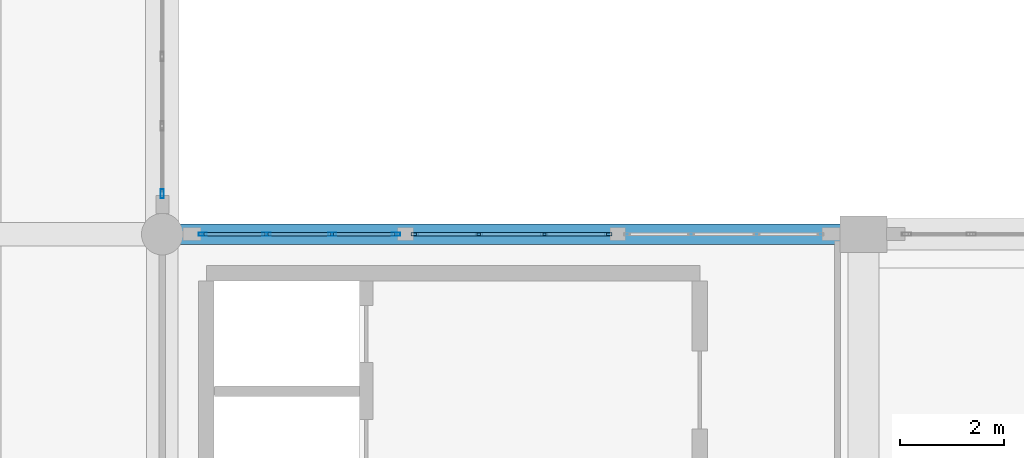
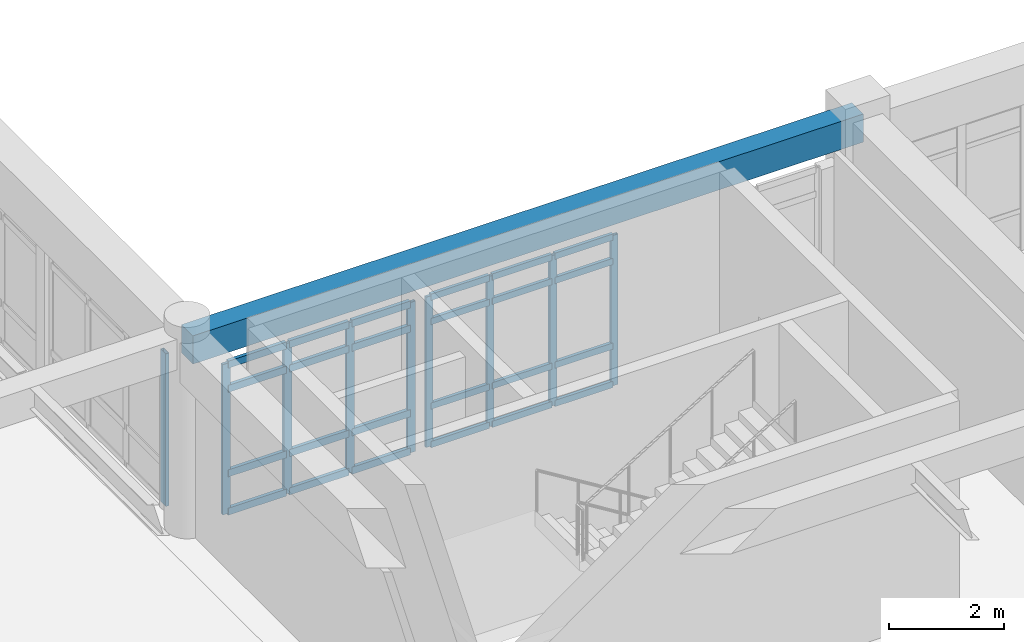
# One storey, part 11 of 80: 33 members, 1 beam, 3 elements without a shape of their own.
"""IFC4 building model written with IfcOpenShell, lengths in metres."""

from ifc_helpers import new_model, si_unit, direction, frame, origin, origin_2d, place, context, subcontext, project, spatial, rectangle, hollow_rectangle, extrude, material, layer, layer_set, material_profile, profile_set, type_object, element, aggregate, save


model = new_model("IFC4")

# Units and contexts
model_context = context("Model", 3, precision=1e-05, world=origin(), true_north=direction((0.0, 1.0)))
body_context = subcontext(model_context, "Body", "Model", "MODEL_VIEW")
ifc_project = project(units=[si_unit("LENGTHUNIT", "METRE"), si_unit("AREAUNIT", "SQUARE_METRE"), si_unit("VOLUMEUNIT", "CUBIC_METRE"), si_unit("PLANEANGLEUNIT", "RADIAN"), si_unit("MASSUNIT", "GRAM", prefix="KILO")], contexts=[model_context])

# Site, building, storey
site_placement = place(None, origin())
site = spatial("IfcSite", under=ifc_project, at=site_placement, CompositionType="ELEMENT")
building_placement = place(site_placement, origin())
building = spatial("IfcBuilding", under=site, at=building_placement, Name="Fikremerkos Civic Library", CompositionType="ELEMENT")
storey_placement = place(building_placement, frame((0.0, 0.0, 9.89990234375)))
storey = spatial("IfcBuildingStorey", under=building, at=storey_placement, Name="L02", CompositionType="ELEMENT", Elevation=9.89990234375)

# Curtain wall, member
ifc_material_1 = material(Name="Anodized aluminium Frame", Category="aluminium")
ifc_layer_1 = layer(ifc_material_1, 0.159912109375, Name="Anodized aluminium Frame")
ifc_layer_set_1 = layer_set([ifc_layer_1], Name="Anodized aluminium Frame")
curtain_wall_type_1 = type_object("IfcCurtainWallType", Name="Unitised curtain wall CW-01 3600x3600", PredefinedType="USERDEFINED", material=ifc_layer_set_1)
curtain_wall_1_placement = place(storey_placement, origin())
curtain_wall_1 = element("IfcCurtainWall", 1, at=curtain_wall_1_placement, inside=storey, type_object=curtain_wall_type_1, Name="Unitised curtain wall CW-01 L02 #145", ObjectType="UNITISED CURTAIN WALL", PredefinedType="USERDEFINED")
ifc_material_profile_1 = material_profile(ifc_material_1, hollow_rectangle(XDim=0.06494140625, YDim=0.179931640625, WallThickness=0.00439453125, at=origin_2d()), Name="ALU 180x65x4.5")
ifc_profile_set_1 = profile_set([ifc_material_profile_1], Name="Anodized aluminium Frame")
member_type_1 = type_object("IfcMemberType", Name="Curtain mullion CWM-01 ALU 180x65x4.5", PredefinedType="MULLION", material=ifc_profile_set_1)
member_1_placement = place(storey_placement, frame((19.199951171875, 31.98046875, 0.0), z_axis=(0.0, 0.0, 1.0), x_axis=(1.0, 0.0, 0.0)))
member_1 = element("IfcMember", 2, at=member_1_placement, type_object=member_type_1, Name="CW-01 mullion 4", PredefinedType="MULLION", context=body_context, shape_type="SweptSolid", body=[
    extrude(hollow_rectangle(XDim=0.06494140625, YDim=0.179931640625, WallThickness=0.00439453125, at=origin_2d()), origin(), (0.0, 0.0, 1.0), 3.25),
])
aggregate(curtain_wall_1, [member_1])

# Curtain wall, members
ifc_layer_2 = layer(ifc_material_1, 0.159912109375, Name="Anodized aluminium Frame")
ifc_layer_set_2 = layer_set([ifc_layer_2], Name="Anodized aluminium Frame")
curtain_wall_type_2 = type_object("IfcCurtainWallType", Name="Unitised curtain wall CW-02 3900x3600", PredefinedType="USERDEFINED", material=ifc_layer_set_2)
curtain_wall_2_placement = place(storey_placement, origin())
curtain_wall_2 = element("IfcCurtainWall", 3, at=curtain_wall_2_placement, inside=storey, type_object=curtain_wall_type_2, Name="Unitised curtain wall CW-02 L02 #146", ObjectType="UNITISED CURTAIN WALL", PredefinedType="USERDEFINED")
ifc_material_profile_2 = material_profile(ifc_material_1, hollow_rectangle(XDim=0.06005859375, YDim=0.159912109375, WallThickness=0.00390625, at=origin_2d()), Name="ALU 160x60x4")
ifc_profile_set_2 = profile_set([ifc_material_profile_2], Name="Anodized aluminium Frame")
member_type_2 = type_object("IfcMemberType", Name="Curtain mullion CWM-02 ALU 160x60x4", PredefinedType="MULLION", material=ifc_profile_set_2)
member_2_placement = place(storey_placement, frame((19.97802734375, 31.199951171875, 0.0), z_axis=(0.0, 0.0, 1.0), x_axis=(0.0, 1.0, 0.0)))
member_2 = element("IfcMember", 4, at=member_2_placement, type_object=member_type_2, Name="CW-02 mullion 1", PredefinedType="MULLION", context=body_context, shape_type="SweptSolid", body=[
    extrude(hollow_rectangle(XDim=0.06005859375, YDim=0.159912109375, WallThickness=0.00390625, at=origin_2d()), origin(), (0.0, 0.0, 1.0), 3.2001953125),
])
member_3_placement = place(storey_placement, frame((21.20947265625, 31.199951171875, 0.0), z_axis=(0.0, 0.0, 1.0), x_axis=(0.0, 1.0, 0.0)))
member_3 = element("IfcMember", 5, at=member_3_placement, type_object=member_type_2, Name="CW-02 mullion 2", PredefinedType="MULLION", context=body_context, shape_type="SweptSolid", body=[
    extrude(hollow_rectangle(XDim=0.06005859375, YDim=0.159912109375, WallThickness=0.00390625, at=origin_2d()), origin(), (0.0, 0.0, 1.0), 3.2001953125),
])
member_4_placement = place(storey_placement, frame((22.47119140625, 31.199951171875, 0.0), z_axis=(0.0, 0.0, 1.0), x_axis=(0.0, 1.0, 0.0)))
member_4 = element("IfcMember", 6, at=member_4_placement, type_object=member_type_2, Name="CW-02 mullion 3", PredefinedType="MULLION", context=body_context, shape_type="SweptSolid", body=[
    extrude(hollow_rectangle(XDim=0.06005859375, YDim=0.159912109375, WallThickness=0.00390625, at=origin_2d()), origin(), (0.0, 0.0, 1.0), 3.2001953125),
])
member_5_placement = place(storey_placement, frame((23.70263671875, 31.199951171875, 0.0), z_axis=(0.0, 0.0, 1.0), x_axis=(0.0, 1.0, 0.0)))
member_5 = element("IfcMember", 7, at=member_5_placement, type_object=member_type_2, Name="CW-02 mullion 4", PredefinedType="MULLION", context=body_context, shape_type="SweptSolid", body=[
    extrude(hollow_rectangle(XDim=0.06005859375, YDim=0.159912109375, WallThickness=0.00390625, at=origin_2d()), origin(), (0.0, 0.0, 1.0), 3.2001953125),
])

ifc_layer_3 = layer(ifc_material_1, 0.159912109375, Name="Anodized aluminium Frame")
ifc_layer_set_3 = layer_set([ifc_layer_3], Name="Anodized aluminium Frame")
curtain_wall_type_3 = type_object("IfcCurtainWallType", Name="Unitised curtain wall CW-03 4100x3600", PredefinedType="USERDEFINED", material=ifc_layer_set_3)
curtain_wall_3_placement = place(storey_placement, origin())
curtain_wall_3 = element("IfcCurtainWall", 8, at=curtain_wall_3_placement, inside=storey, type_object=curtain_wall_type_3, Name="Unitised curtain wall CW-03 L02 #147", ObjectType="UNITISED CURTAIN WALL", PredefinedType="USERDEFINED")
ifc_material_profile_3 = material_profile(ifc_material_1, hollow_rectangle(XDim=0.06005859375, YDim=0.139892578125, WallThickness=0.00390625, at=origin_2d()), Name="ALU 140x60x4")
ifc_profile_set_3 = profile_set([ifc_material_profile_3], Name="Anodized aluminium Frame")
member_type_3 = type_object("IfcMemberType", Name="Curtain mullion CWM-03 ALU 140x60x4", PredefinedType="MULLION", material=ifc_profile_set_3)
member_6_placement = place(storey_placement, frame((24.062744140625, 31.199951171875, 0.0), z_axis=(0.0, 0.0, 1.0), x_axis=(0.0, 1.0, 0.0)))
member_6 = element("IfcMember", 9, at=member_6_placement, type_object=member_type_3, Name="CW-03 mullion 1", PredefinedType="MULLION", context=body_context, shape_type="SweptSolid", body=[
    extrude(hollow_rectangle(XDim=0.06005859375, YDim=0.139892578125, WallThickness=0.00390625, at=origin_2d()), origin(), (0.0, 0.0, 1.0), 3.2001953125),
])
member_7_placement = place(storey_placement, frame((25.294189453125, 31.199951171875, 0.0), z_axis=(0.0, 0.0, 1.0), x_axis=(0.0, 1.0, 0.0)))
member_7 = element("IfcMember", 10, at=member_7_placement, type_object=member_type_3, Name="CW-03 mullion 2", PredefinedType="MULLION", context=body_context, shape_type="SweptSolid", body=[
    extrude(hollow_rectangle(XDim=0.06005859375, YDim=0.139892578125, WallThickness=0.00390625, at=origin_2d()), origin(), (0.0, 0.0, 1.0), 3.2001953125),
])
member_8_placement = place(storey_placement, frame((26.5556640625, 31.199951171875, 0.0), z_axis=(0.0, 0.0, 1.0), x_axis=(0.0, 1.0, 0.0)))
member_8 = element("IfcMember", 11, at=member_8_placement, type_object=member_type_3, Name="CW-03 mullion 3", PredefinedType="MULLION", context=body_context, shape_type="SweptSolid", body=[
    extrude(hollow_rectangle(XDim=0.06005859375, YDim=0.139892578125, WallThickness=0.00390625, at=origin_2d()), origin(), (0.0, 0.0, 1.0), 3.2001953125),
])
member_9_placement = place(storey_placement, frame((27.787353515625, 31.199951171875, 0.0), z_axis=(0.0, 0.0, 1.0), x_axis=(0.0, 1.0, 0.0)))
member_9 = element("IfcMember", 12, at=member_9_placement, type_object=member_type_3, Name="CW-03 mullion 4", PredefinedType="MULLION", context=body_context, shape_type="SweptSolid", body=[
    extrude(hollow_rectangle(XDim=0.06005859375, YDim=0.139892578125, WallThickness=0.00390625, at=origin_2d()), origin(), (0.0, 0.0, 1.0), 3.2001953125),
])

# Member
ifc_material_profile_4 = material_profile(ifc_material_1, hollow_rectangle(XDim=0.070068359375, YDim=0.14990234375, WallThickness=0.00439453125, at=origin_2d()), Name="ALU 150x70x4.5")
ifc_profile_set_4 = profile_set([ifc_material_profile_4], Name="Anodized aluminium Frame")
member_type_4 = type_object("IfcMemberType", Name="Curtain transom CWT-01 ALU 150x70x4.5", PredefinedType="USERDEFINED", material=ifc_profile_set_4)
member_10_placement = place(storey_placement, frame((20.008056640625, 31.199951171875, 0.03515625), z_axis=(1.0, 0.0, 0.0), x_axis=(0.0, 1.0, 0.0)))
member_10 = element("IfcMember", 13, at=member_10_placement, type_object=member_type_4, Name="CW-02 transom 1.1", ObjectType="TRANSOM", PredefinedType="USERDEFINED", context=body_context, shape_type="SweptSolid", body=[
    extrude(hollow_rectangle(XDim=0.070068359375, YDim=0.14990234375, WallThickness=0.00439453125, at=origin_2d()), origin(), (0.0, 0.0, 1.0), 1.17138671875),
])

member_11_placement = place(storey_placement, frame((20.008056640625, 31.199951171875, 0.85009765625), z_axis=(1.0, 0.0, 0.0), x_axis=(0.0, 1.0, 0.0)))
member_11 = element("IfcMember", 14, at=member_11_placement, type_object=member_type_4, Name="CW-02 transom 1.2", ObjectType="TRANSOM", PredefinedType="USERDEFINED", context=body_context, shape_type="SweptSolid", body=[
    extrude(hollow_rectangle(XDim=0.070068359375, YDim=0.14990234375, WallThickness=0.00439453125, at=origin_2d()), origin(), (0.0, 0.0, 1.0), 1.17138671875),
])

member_12_placement = place(storey_placement, frame((20.008056640625, 31.199951171875, 2.650146484375), z_axis=(1.0, 0.0, 0.0), x_axis=(0.0, 1.0, 0.0)))
member_12 = element("IfcMember", 15, at=member_12_placement, type_object=member_type_4, Name="CW-02 transom 1.3", ObjectType="TRANSOM", PredefinedType="USERDEFINED", context=body_context, shape_type="SweptSolid", body=[
    extrude(hollow_rectangle(XDim=0.070068359375, YDim=0.14990234375, WallThickness=0.00439453125, at=origin_2d()), origin(), (0.0, 0.0, 1.0), 1.17138671875),
])

member_13_placement = place(storey_placement, frame((20.008056640625, 31.199951171875, 3.1650390625), z_axis=(1.0, 0.0, 0.0), x_axis=(0.0, 1.0, 0.0)))
member_13 = element("IfcMember", 16, at=member_13_placement, type_object=member_type_4, Name="CW-02 transom 1.4", ObjectType="TRANSOM", PredefinedType="USERDEFINED", context=body_context, shape_type="SweptSolid", body=[
    extrude(hollow_rectangle(XDim=0.070068359375, YDim=0.14990234375, WallThickness=0.00439453125, at=origin_2d()), origin(), (0.0, 0.0, 1.0), 1.17138671875),
])

member_14_placement = place(storey_placement, frame((21.239501953125, 31.199951171875, 0.03515625), z_axis=(1.0, 0.0, 0.0), x_axis=(0.0, 1.0, 0.0)))
member_14 = element("IfcMember", 17, at=member_14_placement, type_object=member_type_4, Name="CW-02 transom 2.1", ObjectType="TRANSOM", PredefinedType="USERDEFINED", context=body_context, shape_type="SweptSolid", body=[
    extrude(hollow_rectangle(XDim=0.070068359375, YDim=0.14990234375, WallThickness=0.00439453125, at=origin_2d()), origin(), (0.0, 0.0, 1.0), 1.20166015625),
])

member_15_placement = place(storey_placement, frame((21.239501953125, 31.199951171875, 0.85009765625), z_axis=(1.0, 0.0, 0.0), x_axis=(0.0, 1.0, 0.0)))
member_15 = element("IfcMember", 18, at=member_15_placement, type_object=member_type_4, Name="CW-02 transom 2.2", ObjectType="TRANSOM", PredefinedType="USERDEFINED", context=body_context, shape_type="SweptSolid", body=[
    extrude(hollow_rectangle(XDim=0.070068359375, YDim=0.14990234375, WallThickness=0.00439453125, at=origin_2d()), origin(), (0.0, 0.0, 1.0), 1.20166015625),
])

member_16_placement = place(storey_placement, frame((21.239501953125, 31.199951171875, 2.650146484375), z_axis=(1.0, 0.0, 0.0), x_axis=(0.0, 1.0, 0.0)))
member_16 = element("IfcMember", 19, at=member_16_placement, type_object=member_type_4, Name="CW-02 transom 2.3", ObjectType="TRANSOM", PredefinedType="USERDEFINED", context=body_context, shape_type="SweptSolid", body=[
    extrude(hollow_rectangle(XDim=0.070068359375, YDim=0.14990234375, WallThickness=0.00439453125, at=origin_2d()), origin(), (0.0, 0.0, 1.0), 1.20166015625),
])

member_17_placement = place(storey_placement, frame((21.239501953125, 31.199951171875, 3.1650390625), z_axis=(1.0, 0.0, 0.0), x_axis=(0.0, 1.0, 0.0)))
member_17 = element("IfcMember", 20, at=member_17_placement, type_object=member_type_4, Name="CW-02 transom 2.4", ObjectType="TRANSOM", PredefinedType="USERDEFINED", context=body_context, shape_type="SweptSolid", body=[
    extrude(hollow_rectangle(XDim=0.070068359375, YDim=0.14990234375, WallThickness=0.00439453125, at=origin_2d()), origin(), (0.0, 0.0, 1.0), 1.20166015625),
])

member_18_placement = place(storey_placement, frame((22.501220703125, 31.199951171875, 0.03515625), z_axis=(1.0, 0.0, 0.0), x_axis=(0.0, 1.0, 0.0)))
member_18 = element("IfcMember", 21, at=member_18_placement, type_object=member_type_4, Name="CW-02 transom 3.1", ObjectType="TRANSOM", PredefinedType="USERDEFINED", context=body_context, shape_type="SweptSolid", body=[
    extrude(hollow_rectangle(XDim=0.070068359375, YDim=0.14990234375, WallThickness=0.00439453125, at=origin_2d()), origin(), (0.0, 0.0, 1.0), 1.17138671875),
])

member_19_placement = place(storey_placement, frame((22.501220703125, 31.199951171875, 0.85009765625), z_axis=(1.0, 0.0, 0.0), x_axis=(0.0, 1.0, 0.0)))
member_19 = element("IfcMember", 22, at=member_19_placement, type_object=member_type_4, Name="CW-02 transom 3.2", ObjectType="TRANSOM", PredefinedType="USERDEFINED", context=body_context, shape_type="SweptSolid", body=[
    extrude(hollow_rectangle(XDim=0.070068359375, YDim=0.14990234375, WallThickness=0.00439453125, at=origin_2d()), origin(), (0.0, 0.0, 1.0), 1.17138671875),
])

member_20_placement = place(storey_placement, frame((22.501220703125, 31.199951171875, 2.650146484375), z_axis=(1.0, 0.0, 0.0), x_axis=(0.0, 1.0, 0.0)))
member_20 = element("IfcMember", 23, at=member_20_placement, type_object=member_type_4, Name="CW-02 transom 3.3", ObjectType="TRANSOM", PredefinedType="USERDEFINED", context=body_context, shape_type="SweptSolid", body=[
    extrude(hollow_rectangle(XDim=0.070068359375, YDim=0.14990234375, WallThickness=0.00439453125, at=origin_2d()), origin(), (0.0, 0.0, 1.0), 1.17138671875),
])

member_21_placement = place(storey_placement, frame((22.501220703125, 31.199951171875, 3.1650390625), z_axis=(1.0, 0.0, 0.0), x_axis=(0.0, 1.0, 0.0)))
member_21 = element("IfcMember", 24, at=member_21_placement, type_object=member_type_4, Name="CW-02 transom 3.4", ObjectType="TRANSOM", PredefinedType="USERDEFINED", context=body_context, shape_type="SweptSolid", body=[
    extrude(hollow_rectangle(XDim=0.070068359375, YDim=0.14990234375, WallThickness=0.00439453125, at=origin_2d()), origin(), (0.0, 0.0, 1.0), 1.17138671875),
])

aggregate(curtain_wall_2, [member_2, member_3, member_4, member_5, member_10, member_11, member_12, member_13, member_14, member_15, member_16, member_17, member_18, member_19, member_20, member_21])

ifc_material_profile_5 = material_profile(ifc_material_1, hollow_rectangle(XDim=0.06494140625, YDim=0.135009765625, WallThickness=0.00439453125, at=origin_2d()), Name="ALU 135x65x4.5")
ifc_profile_set_5 = profile_set([ifc_material_profile_5], Name="Anodized aluminium Frame")
member_type_5 = type_object("IfcMemberType", Name="Curtain transom CWT-02 ALU 135x65x4.5", PredefinedType="USERDEFINED", material=ifc_profile_set_5)
member_22_placement = place(storey_placement, frame((24.0927734375, 31.199951171875, 0.03271484375), z_axis=(1.0, 0.0, 0.0), x_axis=(0.0, 1.0, 0.0)))
member_22 = element("IfcMember", 25, at=member_22_placement, type_object=member_type_5, Name="CW-03 transom 1.1", ObjectType="TRANSOM", PredefinedType="USERDEFINED", context=body_context, shape_type="SweptSolid", body=[
    extrude(hollow_rectangle(XDim=0.06494140625, YDim=0.135009765625, WallThickness=0.00439453125, at=origin_2d()), origin(), (0.0, 0.0, 1.0), 1.17138671875),
])

member_23_placement = place(storey_placement, frame((24.0927734375, 31.199951171875, 0.85009765625), z_axis=(1.0, 0.0, 0.0), x_axis=(0.0, 1.0, 0.0)))
member_23 = element("IfcMember", 26, at=member_23_placement, type_object=member_type_5, Name="CW-03 transom 1.2", ObjectType="TRANSOM", PredefinedType="USERDEFINED", context=body_context, shape_type="SweptSolid", body=[
    extrude(hollow_rectangle(XDim=0.06494140625, YDim=0.135009765625, WallThickness=0.00439453125, at=origin_2d()), origin(), (0.0, 0.0, 1.0), 1.17138671875),
])

member_24_placement = place(storey_placement, frame((24.0927734375, 31.199951171875, 2.650146484375), z_axis=(1.0, 0.0, 0.0), x_axis=(0.0, 1.0, 0.0)))
member_24 = element("IfcMember", 27, at=member_24_placement, type_object=member_type_5, Name="CW-03 transom 1.3", ObjectType="TRANSOM", PredefinedType="USERDEFINED", context=body_context, shape_type="SweptSolid", body=[
    extrude(hollow_rectangle(XDim=0.06494140625, YDim=0.135009765625, WallThickness=0.00439453125, at=origin_2d()), origin(), (0.0, 0.0, 1.0), 1.17138671875),
])

member_25_placement = place(storey_placement, frame((24.0927734375, 31.199951171875, 3.16748046875), z_axis=(1.0, 0.0, 0.0), x_axis=(0.0, 1.0, 0.0)))
member_25 = element("IfcMember", 28, at=member_25_placement, type_object=member_type_5, Name="CW-03 transom 1.4", ObjectType="TRANSOM", PredefinedType="USERDEFINED", context=body_context, shape_type="SweptSolid", body=[
    extrude(hollow_rectangle(XDim=0.06494140625, YDim=0.135009765625, WallThickness=0.00439453125, at=origin_2d()), origin(), (0.0, 0.0, 1.0), 1.17138671875),
])

member_26_placement = place(storey_placement, frame((25.32421875, 31.199951171875, 0.03271484375), z_axis=(1.0, 0.0, 0.0), x_axis=(0.0, 1.0, 0.0)))
member_26 = element("IfcMember", 29, at=member_26_placement, type_object=member_type_5, Name="CW-03 transom 2.1", ObjectType="TRANSOM", PredefinedType="USERDEFINED", context=body_context, shape_type="SweptSolid", body=[
    extrude(hollow_rectangle(XDim=0.06494140625, YDim=0.135009765625, WallThickness=0.00439453125, at=origin_2d()), origin(), (0.0, 0.0, 1.0), 1.20166015625),
])

member_27_placement = place(storey_placement, frame((25.32421875, 31.199951171875, 0.85009765625), z_axis=(1.0, 0.0, 0.0), x_axis=(0.0, 1.0, 0.0)))
member_27 = element("IfcMember", 30, at=member_27_placement, type_object=member_type_5, Name="CW-03 transom 2.2", ObjectType="TRANSOM", PredefinedType="USERDEFINED", context=body_context, shape_type="SweptSolid", body=[
    extrude(hollow_rectangle(XDim=0.06494140625, YDim=0.135009765625, WallThickness=0.00439453125, at=origin_2d()), origin(), (0.0, 0.0, 1.0), 1.20166015625),
])

member_28_placement = place(storey_placement, frame((25.32421875, 31.199951171875, 2.650146484375), z_axis=(1.0, 0.0, 0.0), x_axis=(0.0, 1.0, 0.0)))
member_28 = element("IfcMember", 31, at=member_28_placement, type_object=member_type_5, Name="CW-03 transom 2.3", ObjectType="TRANSOM", PredefinedType="USERDEFINED", context=body_context, shape_type="SweptSolid", body=[
    extrude(hollow_rectangle(XDim=0.06494140625, YDim=0.135009765625, WallThickness=0.00439453125, at=origin_2d()), origin(), (0.0, 0.0, 1.0), 1.20166015625),
])

member_29_placement = place(storey_placement, frame((25.32421875, 31.199951171875, 3.16748046875), z_axis=(1.0, 0.0, 0.0), x_axis=(0.0, 1.0, 0.0)))
member_29 = element("IfcMember", 32, at=member_29_placement, type_object=member_type_5, Name="CW-03 transom 2.4", ObjectType="TRANSOM", PredefinedType="USERDEFINED", context=body_context, shape_type="SweptSolid", body=[
    extrude(hollow_rectangle(XDim=0.06494140625, YDim=0.135009765625, WallThickness=0.00439453125, at=origin_2d()), origin(), (0.0, 0.0, 1.0), 1.20166015625),
])

member_30_placement = place(storey_placement, frame((26.585693359375, 31.199951171875, 0.03271484375), z_axis=(1.0, 0.0, 0.0), x_axis=(0.0, 1.0, 0.0)))
member_30 = element("IfcMember", 33, at=member_30_placement, type_object=member_type_5, Name="CW-03 transom 3.1", ObjectType="TRANSOM", PredefinedType="USERDEFINED", context=body_context, shape_type="SweptSolid", body=[
    extrude(hollow_rectangle(XDim=0.06494140625, YDim=0.135009765625, WallThickness=0.00439453125, at=origin_2d()), origin(), (0.0, 0.0, 1.0), 1.171630859375),
])

member_31_placement = place(storey_placement, frame((26.585693359375, 31.199951171875, 0.85009765625), z_axis=(1.0, 0.0, 0.0), x_axis=(0.0, 1.0, 0.0)))
member_31 = element("IfcMember", 34, at=member_31_placement, type_object=member_type_5, Name="CW-03 transom 3.2", ObjectType="TRANSOM", PredefinedType="USERDEFINED", context=body_context, shape_type="SweptSolid", body=[
    extrude(hollow_rectangle(XDim=0.06494140625, YDim=0.135009765625, WallThickness=0.00439453125, at=origin_2d()), origin(), (0.0, 0.0, 1.0), 1.171630859375),
])

member_32_placement = place(storey_placement, frame((26.585693359375, 31.199951171875, 2.650146484375), z_axis=(1.0, 0.0, 0.0), x_axis=(0.0, 1.0, 0.0)))
member_32 = element("IfcMember", 35, at=member_32_placement, type_object=member_type_5, Name="CW-03 transom 3.3", ObjectType="TRANSOM", PredefinedType="USERDEFINED", context=body_context, shape_type="SweptSolid", body=[
    extrude(hollow_rectangle(XDim=0.06494140625, YDim=0.135009765625, WallThickness=0.00439453125, at=origin_2d()), origin(), (0.0, 0.0, 1.0), 1.171630859375),
])

member_33_placement = place(storey_placement, frame((26.585693359375, 31.199951171875, 3.16748046875), z_axis=(1.0, 0.0, 0.0), x_axis=(0.0, 1.0, 0.0)))
member_33 = element("IfcMember", 36, at=member_33_placement, type_object=member_type_5, Name="CW-03 transom 3.4", ObjectType="TRANSOM", PredefinedType="USERDEFINED", context=body_context, shape_type="SweptSolid", body=[
    extrude(hollow_rectangle(XDim=0.06494140625, YDim=0.135009765625, WallThickness=0.00439453125, at=origin_2d()), origin(), (0.0, 0.0, 1.0), 1.171630859375),
])

aggregate(curtain_wall_3, [member_6, member_7, member_8, member_9, member_22, member_23, member_24, member_25, member_26, member_27, member_28, member_29, member_30, member_31, member_32, member_33])

# Beam
ifc_material_2 = material(Name="Concrete C40/50", Category="concrete")
ifc_material_profile_6 = material_profile(ifc_material_2, rectangle(XDim=0.39990234375, YDim=0.60009765625, at=origin_2d()), Name="RC 400x600")
ifc_profile_set_6 = profile_set([ifc_material_profile_6], Name="Concrete C40/50")
beam_type = type_object("IfcBeamType", Name="Primary girder BM-08 RC 400x600", PredefinedType="BEAM", material=ifc_profile_set_6)
beam_placement = place(storey_placement, frame((19.199951171875, 31.199951171875, 3.860107421875), z_axis=(1.0, 0.0, 0.0), x_axis=(0.0, 1.0, 0.0)))
element("IfcBeam", 37, at=beam_placement, inside=storey, type_object=beam_type, Name="Primary girder BM-08 L02 grid G", PredefinedType="BEAM", context=body_context, shape_type="SweptSolid", body=[
    extrude(rectangle(XDim=0.39990234375, YDim=0.60009765625, at=origin_2d()), origin(), (0.0, 0.0, 1.0), 13.5),
])

save(model, "model.ifc")
